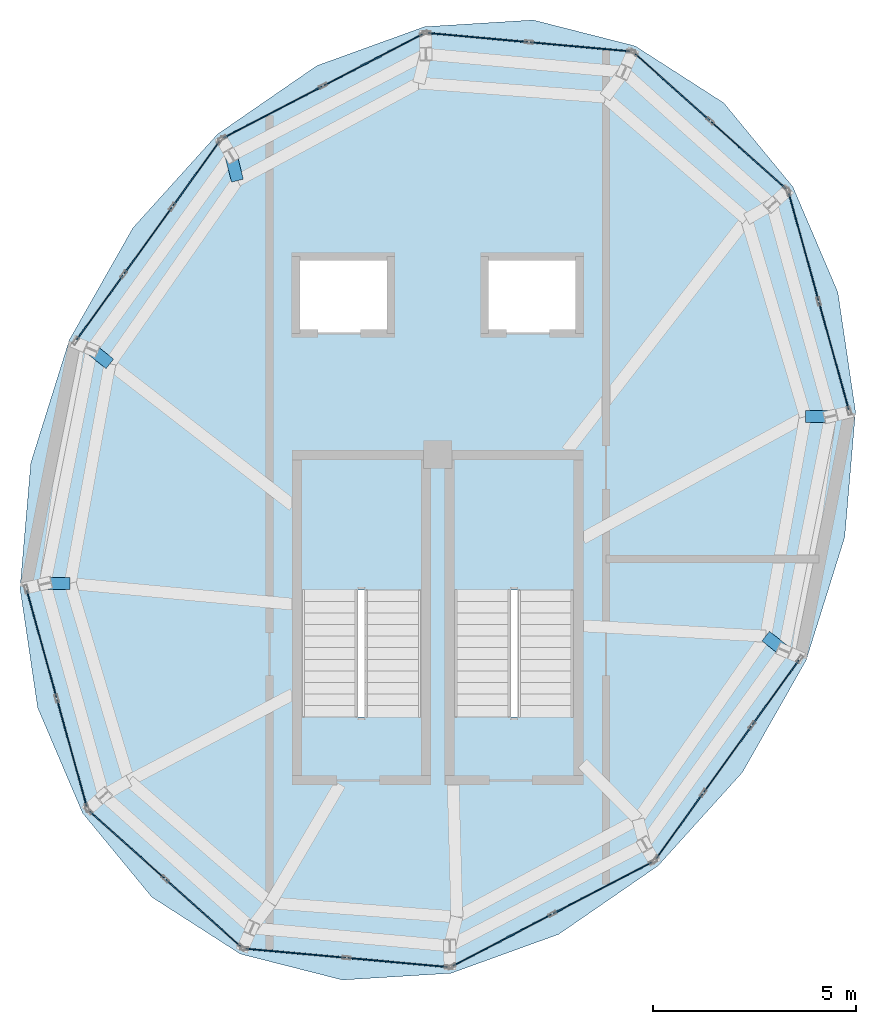
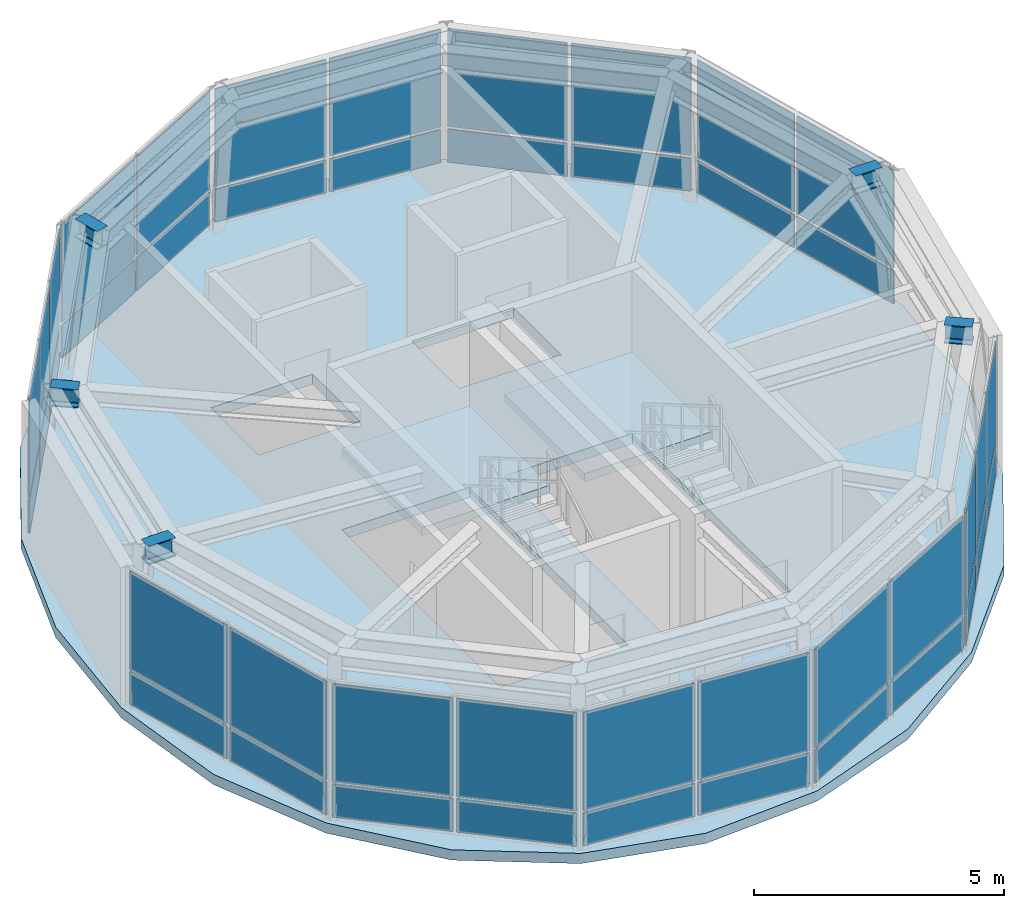
# One storey, part 7 of 9: 44 plates, 5 beams, 3 slabs, 12 elements without a shape of their own.
"""IFC4 building model written with IfcOpenShell, lengths in metres."""

from ifc_helpers import new_model, si_unit, direction, frame, origin, origin_2d, place, context, subcontext, project, spatial, polyline, rectangle, i_section, outline, extrude, material, layer, layer_set, material_profile, profile_set, type_object, element, aggregate, save


model = new_model("IFC4")

# Units and contexts
model_context = context("Model", 3, precision=1e-05, world=origin(), true_north=direction((0.0, 1.0)))
body_context = subcontext(model_context, "Body", "Model", "MODEL_VIEW")
ifc_project = project(units=[si_unit("LENGTHUNIT", "METRE"), si_unit("AREAUNIT", "SQUARE_METRE"), si_unit("VOLUMEUNIT", "CUBIC_METRE"), si_unit("PLANEANGLEUNIT", "RADIAN"), si_unit("MASSUNIT", "GRAM", prefix="KILO"), si_unit("THERMODYNAMICTEMPERATUREUNIT", "KELVIN"), si_unit("POWERUNIT", "WATT")], contexts=[model_context])

# Site, building, storey
site_placement = place(None, origin())
site = spatial("IfcSite", under=ifc_project, at=site_placement, CompositionType="ELEMENT")
building_placement = place(site_placement, origin())
building = spatial("IfcBuilding", under=site, at=building_placement, Name="Ocrelia Relay Tower", CompositionType="ELEMENT")
storey_placement = place(building_placement, frame((0.0, 0.0, 304.0)))
storey = spatial("IfcBuildingStorey", under=building, at=storey_placement, Name="L76", CompositionType="ELEMENT", Elevation=304.0)

# Beams
ifc_material_1 = material(Name="Steel S355", Category="steel")
ifc_material_profile = material_profile(ifc_material_1, i_section(OverallWidth=0.300048828125, OverallDepth=0.449951171875, WebThickness=0.013916015625, FlangeThickness=0.02587890625, FilletRadius=0.027099609375, at=origin_2d()), Name="HEB 450")
ifc_profile_set = profile_set([ifc_material_profile], Name="Steel S355")
beam_type = type_object("IfcBeamType", Name="BM-HEB450", PredefinedType="BEAM", material=ifc_profile_set)
beam_1_placement = place(storey_placement, frame((28.90673828125, 34.484619140625, 3.52490234375), z_axis=(0.246429428878, -0.969160738259, 0.0), x_axis=(0.969160738259, 0.246429428878, 0.0)))
element("IfcBeam", 1, at=beam_1_placement, inside=storey, type_object=beam_type, Name="L76 Crown Step Radial Beam ST03", PredefinedType="BEAM", context=body_context, shape_type="SweptSolid", body=[
    extrude(i_section(OverallWidth=0.300048828125, OverallDepth=0.449951171875, WebThickness=0.013916015625, FlangeThickness=0.02587890625, FilletRadius=0.027099609375, at=origin_2d()), origin(), (0.0, 0.0, 1.0), 0.634033203125),
])
beam_2_placement = place(storey_placement, frame((25.47119140625, 29.70849609375, 3.52490234375), z_axis=(0.785277172526, -0.619144379211, 0.0), x_axis=(0.619144379211, 0.785277172526, 0.0)))
element("IfcBeam", 2, at=beam_2_placement, inside=storey, type_object=beam_type, Name="L76 Crown Step Radial Beam ST04", PredefinedType="BEAM", context=body_context, shape_type="SweptSolid", body=[
    extrude(i_section(OverallWidth=0.300048828125, OverallDepth=0.449951171875, WebThickness=0.013916015625, FlangeThickness=0.02587890625, FilletRadius=0.027099609375, at=origin_2d()), origin(), (0.0, 0.0, 1.0), 0.570068359375),
])
beam_3_placement = place(storey_placement, frame((24.3212890625, 23.9384765625, 3.52490234375), z_axis=(0.999984762362, 0.005520420612, 0.0), x_axis=(-0.005520420612, 0.999984762362, 0.0)))
element("IfcBeam", 3, at=beam_3_placement, inside=storey, type_object=beam_type, Name="L76 Crown Step Radial Beam ST05", PredefinedType="BEAM", context=body_context, shape_type="SweptSolid", body=[
    extrude(i_section(OverallWidth=0.300048828125, OverallDepth=0.449951171875, WebThickness=0.013916015625, FlangeThickness=0.02587890625, FilletRadius=0.027099609375, at=origin_2d()), origin(), (0.0, 0.0, 1.0), 0.619140625),
])
beam_4_placement = place(storey_placement, frame((42.52880859375, 22.29150390625, 3.52490234375), z_axis=(-0.785277172526, 0.619144379211, 0.0), x_axis=(-0.619144379211, -0.785277172526, 0.0)))
element("IfcBeam", 4, at=beam_4_placement, inside=storey, type_object=beam_type, Name="L76 Crown Step Radial Beam ST10", PredefinedType="BEAM", context=body_context, shape_type="SweptSolid", body=[
    extrude(i_section(OverallWidth=0.300048828125, OverallDepth=0.449951171875, WebThickness=0.013916015625, FlangeThickness=0.02587890625, FilletRadius=0.027099609375, at=origin_2d()), origin(), (0.0, 0.0, 1.0), 0.570068359375),
])
beam_5_placement = place(storey_placement, frame((43.6787109375, 28.0615234375, 3.52490234375), z_axis=(-0.999984762362, -0.005520420612, 0.0), x_axis=(0.005520420612, -0.999984762362, 0.0)))
element("IfcBeam", 5, at=beam_5_placement, inside=storey, type_object=beam_type, Name="L76 Crown Step Radial Beam ST11", PredefinedType="BEAM", context=body_context, shape_type="SweptSolid", body=[
    extrude(i_section(OverallWidth=0.300048828125, OverallDepth=0.449951171875, WebThickness=0.013916015625, FlangeThickness=0.02587890625, FilletRadius=0.027099609375, at=origin_2d()), origin(), (0.0, 0.0, 1.0), 0.619140625),
])

# Curtain wall, plates
ifc_material_2 = material(Name="Aluminium and solar-control low-E glass", Category="aluminium")
ifc_layer_1 = layer(ifc_material_2, 0.179931640625, Name="Aluminium and solar-control low-E glass")
ifc_layer_set_1 = layer_set([ifc_layer_1], Name="Aluminium and solar-control low-E glass")
curtain_wall_type = type_object("IfcCurtainWallType", Name="CW-SYS-CROWN-PT", PredefinedType="NOTDEFINED", material=ifc_layer_set_1)
curtain_wall_1_placement = place(storey_placement, origin())
curtain_wall_1 = element("IfcCurtainWall", 6, at=curtain_wall_1_placement, inside=storey, type_object=curtain_wall_type, Name="L76 Faceted Glass-Point Crown Curtain Wall 01", PredefinedType="NOTDEFINED")
ifc_material_3 = material(Name="Clear double-glazed low-E glass", Category="glass")
ifc_layer_2 = layer(ifc_material_3, 0.031982421875, Name="Clear double-glazed low-E glass")
ifc_layer_set_2 = layer_set([ifc_layer_2], Name="Clear double-glazed low-E glass")
plate_type = type_object("IfcPlateType", Name="CW-SYS-CROWN-PT-PNL", PredefinedType="CURTAIN_PANEL", material=ifc_layer_set_2)
plate_1_placement = place(storey_placement, frame((37.507568359375, 37.168212890625, 0.06494140625), z_axis=(0.0, 0.0, 1.0), x_axis=(-0.995920296062, 0.090237264433, 0.0)))
plate_1 = element("IfcPlate", 7, at=plate_1_placement, type_object=plate_type, Name="CW-CR panel 1.1", PredefinedType="CURTAIN_PANEL", context=body_context, shape_type="SweptSolid", body=[
    extrude(rectangle(XDim=2.455078125, YDim=0.031982421875, at=origin_2d()), origin(), (0.0, 0.0, 1.0), 0.802490234375),
])
plate_2_placement = place(storey_placement, frame((37.507568359375, 37.168212890625, 0.932373046875), z_axis=(0.0, 0.0, 1.0), x_axis=(-0.995920296062, 0.090237264433, 0.0)))
plate_2 = element("IfcPlate", 8, at=plate_2_placement, type_object=plate_type, Name="CW-CR panel 1.2", PredefinedType="CURTAIN_PANEL", context=body_context, shape_type="SweptSolid", body=[
    extrude(rectangle(XDim=2.455078125, YDim=0.031982421875, at=origin_2d()), origin(), (0.0, 0.0, 1.0), 2.392578125),
])
plate_3_placement = place(storey_placement, frame((34.98779296875, 37.396484375, 0.06494140625), z_axis=(0.0, 0.0, 1.0), x_axis=(-0.995920296062, 0.090237264433, 0.0)))
plate_3 = element("IfcPlate", 9, at=plate_3_placement, type_object=plate_type, Name="CW-CR panel 2.1", PredefinedType="CURTAIN_PANEL", context=body_context, shape_type="SweptSolid", body=[
    extrude(rectangle(XDim=2.455078125, YDim=0.031982421875, at=origin_2d()), origin(), (0.0, 0.0, 1.0), 0.802490234375),
])
plate_4_placement = place(storey_placement, frame((34.98779296875, 37.396484375, 0.932373046875), z_axis=(0.0, 0.0, 1.0), x_axis=(-0.995920296062, 0.090237264433, 0.0)))
plate_4 = element("IfcPlate", 10, at=plate_4_placement, type_object=plate_type, Name="CW-CR panel 2.2", PredefinedType="CURTAIN_PANEL", context=body_context, shape_type="SweptSolid", body=[
    extrude(rectangle(XDim=2.455078125, YDim=0.031982421875, at=origin_2d()), origin(), (0.0, 0.0, 1.0), 2.392578125),
])
aggregate(curtain_wall_1, [plate_1, plate_2, plate_3, plate_4])

curtain_wall_2_placement = place(storey_placement, origin())
curtain_wall_2 = element("IfcCurtainWall", 11, at=curtain_wall_2_placement, inside=storey, type_object=curtain_wall_type, Name="L76 Faceted Glass-Point Crown Curtain Wall 02", PredefinedType="NOTDEFINED")
plate_5_placement = place(storey_placement, frame((32.416015625, 36.849853515625, 0.06494140625), z_axis=(0.0, 0.0, 1.0), x_axis=(-0.886825459101, -0.462104539137, 0.0)))
plate_5 = element("IfcPlate", 12, at=plate_5_placement, type_object=plate_type, Name="CW-CR panel 1.1", PredefinedType="CURTAIN_PANEL", context=body_context, shape_type="SweptSolid", body=[
    extrude(rectangle(XDim=2.724365234375, YDim=0.031982421875, at=origin_2d()), origin(), (0.0, 0.0, 1.0), 0.802490234375),
])
plate_6_placement = place(storey_placement, frame((32.416015625, 36.849853515625, 0.932373046875), z_axis=(0.0, 0.0, 1.0), x_axis=(-0.886825459101, -0.462104539137, 0.0)))
plate_6 = element("IfcPlate", 13, at=plate_6_placement, type_object=plate_type, Name="CW-CR panel 1.2", PredefinedType="CURTAIN_PANEL", context=body_context, shape_type="SweptSolid", body=[
    extrude(rectangle(XDim=2.724365234375, YDim=0.031982421875, at=origin_2d()), origin(), (0.0, 0.0, 1.0), 2.392578125),
])
plate_7_placement = place(storey_placement, frame((29.93359375, 35.556396484375, 0.06494140625), z_axis=(0.0, 0.0, 1.0), x_axis=(-0.886825459101, -0.462104539137, 0.0)))
plate_7 = element("IfcPlate", 14, at=plate_7_placement, type_object=plate_type, Name="CW-CR panel 2.1", PredefinedType="CURTAIN_PANEL", context=body_context, shape_type="SweptSolid", body=[
    extrude(rectangle(XDim=2.724365234375, YDim=0.031982421875, at=origin_2d()), origin(), (0.0, 0.0, 1.0), 0.802490234375),
])
plate_8_placement = place(storey_placement, frame((29.93359375, 35.556396484375, 0.932373046875), z_axis=(0.0, 0.0, 1.0), x_axis=(-0.886825459101, -0.462104539137, 0.0)))
plate_8 = element("IfcPlate", 15, at=plate_8_placement, type_object=plate_type, Name="CW-CR panel 2.2", PredefinedType="CURTAIN_PANEL", context=body_context, shape_type="SweptSolid", body=[
    extrude(rectangle(XDim=2.724365234375, YDim=0.031982421875, at=origin_2d()), origin(), (0.0, 0.0, 1.0), 2.392578125),
])
aggregate(curtain_wall_2, [plate_5, plate_6, plate_7, plate_8])

curtain_wall_3_placement = place(storey_placement, origin())
curtain_wall_3 = element("IfcCurtainWall", 16, at=curtain_wall_3_placement, inside=storey, type_object=curtain_wall_type, Name="L76 Faceted Glass-Point Crown Curtain Wall 03", PredefinedType="NOTDEFINED")
plate_9_placement = place(storey_placement, frame((28.048095703125, 34.04296875, 0.06494140625), z_axis=(0.0, 0.0, 1.0), x_axis=(-0.583998300371, -0.811754879976, 0.0)))
plate_9 = element("IfcPlate", 17, at=plate_9_placement, type_object=plate_type, Name="CW-CR panel 1.1", PredefinedType="CURTAIN_PANEL", context=body_context, shape_type="SweptSolid", body=[
    extrude(rectangle(XDim=1.9423828125, YDim=0.031982421875, at=origin_2d()), origin(), (0.0, 0.0, 1.0), 0.802490234375),
])
plate_10_placement = place(storey_placement, frame((28.048095703125, 34.04296875, 0.932373046875), z_axis=(0.0, 0.0, 1.0), x_axis=(-0.583998300371, -0.811754879976, 0.0)))
plate_10 = element("IfcPlate", 18, at=plate_10_placement, type_object=plate_type, Name="CW-CR panel 1.2", PredefinedType="CURTAIN_PANEL", context=body_context, shape_type="SweptSolid", body=[
    extrude(rectangle(XDim=1.9423828125, YDim=0.031982421875, at=origin_2d()), origin(), (0.0, 0.0, 1.0), 2.392578125),
])
plate_11_placement = place(storey_placement, frame((26.85888671875, 32.389892578125, 0.06494140625), z_axis=(0.0, 0.0, 1.0), x_axis=(-0.583998300371, -0.811754879976, 0.0)))
plate_11 = element("IfcPlate", 19, at=plate_11_placement, type_object=plate_type, Name="CW-CR panel 2.1", PredefinedType="CURTAIN_PANEL", context=body_context, shape_type="SweptSolid", body=[
    extrude(rectangle(XDim=1.97998046875, YDim=0.031982421875, at=origin_2d()), origin(), (0.0, 0.0, 1.0), 0.802490234375),
])
plate_12_placement = place(storey_placement, frame((26.85888671875, 32.389892578125, 0.932373046875), z_axis=(0.0, 0.0, 1.0), x_axis=(-0.583998300371, -0.811754879976, 0.0)))
plate_12 = element("IfcPlate", 20, at=plate_12_placement, type_object=plate_type, Name="CW-CR panel 2.2", PredefinedType="CURTAIN_PANEL", context=body_context, shape_type="SweptSolid", body=[
    extrude(rectangle(XDim=1.97998046875, YDim=0.031982421875, at=origin_2d()), origin(), (0.0, 0.0, 1.0), 2.392578125),
])
plate_13_placement = place(storey_placement, frame((25.669677734375, 30.737060546875, 0.06494140625), z_axis=(0.0, 0.0, 1.0), x_axis=(-0.583998300371, -0.811754879976, 0.0)))
plate_13 = element("IfcPlate", 21, at=plate_13_placement, type_object=plate_type, Name="CW-CR panel 3.1", PredefinedType="CURTAIN_PANEL", context=body_context, shape_type="SweptSolid", body=[
    extrude(rectangle(XDim=1.9423828125, YDim=0.031982421875, at=origin_2d()), origin(), (0.0, 0.0, 1.0), 0.802490234375),
])
plate_14_placement = place(storey_placement, frame((25.669677734375, 30.737060546875, 0.932373046875), z_axis=(0.0, 0.0, 1.0), x_axis=(-0.583998300371, -0.811754879976, 0.0)))
plate_14 = element("IfcPlate", 22, at=plate_14_placement, type_object=plate_type, Name="CW-CR panel 3.2", PredefinedType="CURTAIN_PANEL", context=body_context, shape_type="SweptSolid", body=[
    extrude(rectangle(XDim=1.9423828125, YDim=0.031982421875, at=origin_2d()), origin(), (0.0, 0.0, 1.0), 2.392578125),
])
aggregate(curtain_wall_3, [plate_9, plate_10, plate_11, plate_12, plate_13, plate_14])

curtain_wall_4_placement = place(storey_placement, origin())
curtain_wall_4 = element("IfcCurtainWall", 23, at=curtain_wall_4_placement, inside=storey, type_object=curtain_wall_type, Name="L76 Faceted Glass-Point Crown Curtain Wall 05", PredefinedType="NOTDEFINED")
plate_15_placement = place(storey_placement, frame((24.237548828125, 22.45654296875, 0.06494140625), z_axis=(0.0, 0.0, 1.0), x_axis=(0.266852890397, -0.963737274825, 0.0)))
plate_15 = element("IfcPlate", 24, at=plate_15_placement, type_object=plate_type, Name="CW-CR panel 1.1", PredefinedType="CURTAIN_PANEL", context=body_context, shape_type="SweptSolid", body=[
    extrude(rectangle(XDim=2.724365234375, YDim=0.031982421875, at=origin_2d()), origin(), (0.0, 0.0, 1.0), 0.802490234375),
])
plate_16_placement = place(storey_placement, frame((24.237548828125, 22.45654296875, 0.932373046875), z_axis=(0.0, 0.0, 1.0), x_axis=(0.266852890397, -0.963737274825, 0.0)))
plate_16 = element("IfcPlate", 25, at=plate_16_placement, type_object=plate_type, Name="CW-CR panel 1.2", PredefinedType="CURTAIN_PANEL", context=body_context, shape_type="SweptSolid", body=[
    extrude(rectangle(XDim=2.724365234375, YDim=0.031982421875, at=origin_2d()), origin(), (0.0, 0.0, 1.0), 2.392578125),
])
plate_17_placement = place(storey_placement, frame((24.984619140625, 19.7587890625, 0.06494140625), z_axis=(0.0, 0.0, 1.0), x_axis=(0.266852890397, -0.963737274825, 0.0)))
plate_17 = element("IfcPlate", 26, at=plate_17_placement, type_object=plate_type, Name="CW-CR panel 2.1", PredefinedType="CURTAIN_PANEL", context=body_context, shape_type="SweptSolid", body=[
    extrude(rectangle(XDim=2.724365234375, YDim=0.031982421875, at=origin_2d()), origin(), (0.0, 0.0, 1.0), 0.802490234375),
])
plate_18_placement = place(storey_placement, frame((24.984619140625, 19.7587890625, 0.932373046875), z_axis=(0.0, 0.0, 1.0), x_axis=(0.266852890397, -0.963737274825, 0.0)))
plate_18 = element("IfcPlate", 27, at=plate_18_placement, type_object=plate_type, Name="CW-CR panel 2.2", PredefinedType="CURTAIN_PANEL", context=body_context, shape_type="SweptSolid", body=[
    extrude(rectangle(XDim=2.724365234375, YDim=0.031982421875, at=origin_2d()), origin(), (0.0, 0.0, 1.0), 2.392578125),
])
aggregate(curtain_wall_4, [plate_15, plate_16, plate_17, plate_18])

curtain_wall_5_placement = place(storey_placement, origin())
curtain_wall_5 = element("IfcCurtainWall", 28, at=curtain_wall_5_placement, inside=storey, type_object=curtain_wall_type, Name="L76 Faceted Glass-Point Crown Curtain Wall 06", PredefinedType="NOTDEFINED")
plate_19_placement = place(storey_placement, frame((26.3388671875, 17.505126953125, 0.06494140625), z_axis=(0.0, 0.0, 1.0), x_axis=(0.745217885988, -0.666821042262, 0.0)))
plate_19 = element("IfcPlate", 29, at=plate_19_placement, type_object=plate_type, Name="CW-CR panel 1.1", PredefinedType="CURTAIN_PANEL", context=body_context, shape_type="SweptSolid", body=[
    extrude(rectangle(XDim=2.455322265625, YDim=0.031982421875, at=origin_2d()), origin(), (0.0, 0.0, 1.0), 0.802490234375),
])
plate_20_placement = place(storey_placement, frame((26.3388671875, 17.505126953125, 0.932373046875), z_axis=(0.0, 0.0, 1.0), x_axis=(0.745217885988, -0.666821042262, 0.0)))
plate_20 = element("IfcPlate", 30, at=plate_20_placement, type_object=plate_type, Name="CW-CR panel 1.2", PredefinedType="CURTAIN_PANEL", context=body_context, shape_type="SweptSolid", body=[
    extrude(rectangle(XDim=2.455322265625, YDim=0.031982421875, at=origin_2d()), origin(), (0.0, 0.0, 1.0), 2.392578125),
])
plate_21_placement = place(storey_placement, frame((28.224365234375, 15.818115234375, 0.06494140625), z_axis=(0.0, 0.0, 1.0), x_axis=(0.745217885988, -0.666821042262, 0.0)))
plate_21 = element("IfcPlate", 31, at=plate_21_placement, type_object=plate_type, Name="CW-CR panel 2.1", PredefinedType="CURTAIN_PANEL", context=body_context, shape_type="SweptSolid", body=[
    extrude(rectangle(XDim=2.455322265625, YDim=0.031982421875, at=origin_2d()), origin(), (0.0, 0.0, 1.0), 0.802490234375),
])
plate_22_placement = place(storey_placement, frame((28.224365234375, 15.818115234375, 0.932373046875), z_axis=(0.0, 0.0, 1.0), x_axis=(0.745217885988, -0.666821042262, 0.0)))
plate_22 = element("IfcPlate", 32, at=plate_22_placement, type_object=plate_type, Name="CW-CR panel 2.2", PredefinedType="CURTAIN_PANEL", context=body_context, shape_type="SweptSolid", body=[
    extrude(rectangle(XDim=2.455322265625, YDim=0.031982421875, at=origin_2d()), origin(), (0.0, 0.0, 1.0), 2.392578125),
])
aggregate(curtain_wall_5, [plate_19, plate_20, plate_21, plate_22])

curtain_wall_6_placement = place(storey_placement, origin())
curtain_wall_6 = element("IfcCurtainWall", 33, at=curtain_wall_6_placement, inside=storey, type_object=curtain_wall_type, Name="L76 Faceted Glass-Point Crown Curtain Wall 07", PredefinedType="NOTDEFINED")
plate_23_placement = place(storey_placement, frame((30.492431640625, 14.831787109375, 0.06494140625), z_axis=(0.0, 0.0, 1.0), x_axis=(0.995920296062, -0.090237264433, 0.0)))
plate_23 = element("IfcPlate", 34, at=plate_23_placement, type_object=plate_type, Name="CW-CR panel 1.1", PredefinedType="CURTAIN_PANEL", context=body_context, shape_type="SweptSolid", body=[
    extrude(rectangle(XDim=2.455078125, YDim=0.031982421875, at=origin_2d()), origin(), (0.0, 0.0, 1.0), 0.802490234375),
])
plate_24_placement = place(storey_placement, frame((30.492431640625, 14.831787109375, 0.932373046875), z_axis=(0.0, 0.0, 1.0), x_axis=(0.995920296062, -0.090237264433, 0.0)))
plate_24 = element("IfcPlate", 35, at=plate_24_placement, type_object=plate_type, Name="CW-CR panel 1.2", PredefinedType="CURTAIN_PANEL", context=body_context, shape_type="SweptSolid", body=[
    extrude(rectangle(XDim=2.455078125, YDim=0.031982421875, at=origin_2d()), origin(), (0.0, 0.0, 1.0), 2.392578125),
])
plate_25_placement = place(storey_placement, frame((33.01220703125, 14.603515625, 0.06494140625), z_axis=(0.0, 0.0, 1.0), x_axis=(0.995920296062, -0.090237264433, 0.0)))
plate_25 = element("IfcPlate", 36, at=plate_25_placement, type_object=plate_type, Name="CW-CR panel 2.1", PredefinedType="CURTAIN_PANEL", context=body_context, shape_type="SweptSolid", body=[
    extrude(rectangle(XDim=2.455078125, YDim=0.031982421875, at=origin_2d()), origin(), (0.0, 0.0, 1.0), 0.802490234375),
])
plate_26_placement = place(storey_placement, frame((33.01220703125, 14.603515625, 0.932373046875), z_axis=(0.0, 0.0, 1.0), x_axis=(0.995920296062, -0.090237264433, 0.0)))
plate_26 = element("IfcPlate", 37, at=plate_26_placement, type_object=plate_type, Name="CW-CR panel 2.2", PredefinedType="CURTAIN_PANEL", context=body_context, shape_type="SweptSolid", body=[
    extrude(rectangle(XDim=2.455078125, YDim=0.031982421875, at=origin_2d()), origin(), (0.0, 0.0, 1.0), 2.392578125),
])
aggregate(curtain_wall_6, [plate_23, plate_24, plate_25, plate_26])

curtain_wall_7_placement = place(storey_placement, origin())
curtain_wall_7 = element("IfcCurtainWall", 38, at=curtain_wall_7_placement, inside=storey, type_object=curtain_wall_type, Name="L76 Faceted Glass-Point Crown Curtain Wall 08", PredefinedType="NOTDEFINED")
plate_27_placement = place(storey_placement, frame((35.583984375, 15.150146484375, 0.06494140625), z_axis=(0.0, 0.0, 1.0), x_axis=(0.886825459101, 0.462104539137, 0.0)))
plate_27 = element("IfcPlate", 39, at=plate_27_placement, type_object=plate_type, Name="CW-CR panel 1.1", PredefinedType="CURTAIN_PANEL", context=body_context, shape_type="SweptSolid", body=[
    extrude(rectangle(XDim=2.724365234375, YDim=0.031982421875, at=origin_2d()), origin(), (0.0, 0.0, 1.0), 0.802490234375),
])
plate_28_placement = place(storey_placement, frame((35.583984375, 15.150146484375, 0.932373046875), z_axis=(0.0, 0.0, 1.0), x_axis=(0.886825459101, 0.462104539137, 0.0)))
plate_28 = element("IfcPlate", 40, at=plate_28_placement, type_object=plate_type, Name="CW-CR panel 1.2", PredefinedType="CURTAIN_PANEL", context=body_context, shape_type="SweptSolid", body=[
    extrude(rectangle(XDim=2.724365234375, YDim=0.031982421875, at=origin_2d()), origin(), (0.0, 0.0, 1.0), 2.392578125),
])
plate_29_placement = place(storey_placement, frame((38.06640625, 16.443603515625, 0.06494140625), z_axis=(0.0, 0.0, 1.0), x_axis=(0.886825459101, 0.462104539137, 0.0)))
plate_29 = element("IfcPlate", 41, at=plate_29_placement, type_object=plate_type, Name="CW-CR panel 2.1", PredefinedType="CURTAIN_PANEL", context=body_context, shape_type="SweptSolid", body=[
    extrude(rectangle(XDim=2.724365234375, YDim=0.031982421875, at=origin_2d()), origin(), (0.0, 0.0, 1.0), 0.802490234375),
])
plate_30_placement = place(storey_placement, frame((38.06640625, 16.443603515625, 0.932373046875), z_axis=(0.0, 0.0, 1.0), x_axis=(0.886825459101, 0.462104539137, 0.0)))
plate_30 = element("IfcPlate", 42, at=plate_30_placement, type_object=plate_type, Name="CW-CR panel 2.2", PredefinedType="CURTAIN_PANEL", context=body_context, shape_type="SweptSolid", body=[
    extrude(rectangle(XDim=2.724365234375, YDim=0.031982421875, at=origin_2d()), origin(), (0.0, 0.0, 1.0), 2.392578125),
])
aggregate(curtain_wall_7, [plate_27, plate_28, plate_29, plate_30])

curtain_wall_8_placement = place(storey_placement, origin())
curtain_wall_8 = element("IfcCurtainWall", 43, at=curtain_wall_8_placement, inside=storey, type_object=curtain_wall_type, Name="L76 Faceted Glass-Point Crown Curtain Wall 09", PredefinedType="NOTDEFINED")
plate_31_placement = place(storey_placement, frame((39.951904296875, 17.95703125, 0.06494140625), z_axis=(0.0, 0.0, 1.0), x_axis=(0.583998300371, 0.811754879976, 0.0)))
plate_31 = element("IfcPlate", 44, at=plate_31_placement, type_object=plate_type, Name="CW-CR panel 1.1", PredefinedType="CURTAIN_PANEL", context=body_context, shape_type="SweptSolid", body=[
    extrude(rectangle(XDim=1.9423828125, YDim=0.031982421875, at=origin_2d()), origin(), (0.0, 0.0, 1.0), 0.802490234375),
])
plate_32_placement = place(storey_placement, frame((39.951904296875, 17.95703125, 0.932373046875), z_axis=(0.0, 0.0, 1.0), x_axis=(0.583998300371, 0.811754879976, 0.0)))
plate_32 = element("IfcPlate", 45, at=plate_32_placement, type_object=plate_type, Name="CW-CR panel 1.2", PredefinedType="CURTAIN_PANEL", context=body_context, shape_type="SweptSolid", body=[
    extrude(rectangle(XDim=1.9423828125, YDim=0.031982421875, at=origin_2d()), origin(), (0.0, 0.0, 1.0), 2.392578125),
])
plate_33_placement = place(storey_placement, frame((41.14111328125, 19.610107421875, 0.06494140625), z_axis=(0.0, 0.0, 1.0), x_axis=(0.583998300371, 0.811754879976, 0.0)))
plate_33 = element("IfcPlate", 46, at=plate_33_placement, type_object=plate_type, Name="CW-CR panel 2.1", PredefinedType="CURTAIN_PANEL", context=body_context, shape_type="SweptSolid", body=[
    extrude(rectangle(XDim=1.97998046875, YDim=0.031982421875, at=origin_2d()), origin(), (0.0, 0.0, 1.0), 0.802490234375),
])
plate_34_placement = place(storey_placement, frame((41.14111328125, 19.610107421875, 0.932373046875), z_axis=(0.0, 0.0, 1.0), x_axis=(0.583998300371, 0.811754879976, 0.0)))
plate_34 = element("IfcPlate", 47, at=plate_34_placement, type_object=plate_type, Name="CW-CR panel 2.2", PredefinedType="CURTAIN_PANEL", context=body_context, shape_type="SweptSolid", body=[
    extrude(rectangle(XDim=1.97998046875, YDim=0.031982421875, at=origin_2d()), origin(), (0.0, 0.0, 1.0), 2.392578125),
])
plate_35_placement = place(storey_placement, frame((42.330322265625, 21.262939453125, 0.06494140625), z_axis=(0.0, 0.0, 1.0), x_axis=(0.583998300371, 0.811754879976, 0.0)))
plate_35 = element("IfcPlate", 48, at=plate_35_placement, type_object=plate_type, Name="CW-CR panel 3.1", PredefinedType="CURTAIN_PANEL", context=body_context, shape_type="SweptSolid", body=[
    extrude(rectangle(XDim=1.9423828125, YDim=0.031982421875, at=origin_2d()), origin(), (0.0, 0.0, 1.0), 0.802490234375),
])
plate_36_placement = place(storey_placement, frame((42.330322265625, 21.262939453125, 0.932373046875), z_axis=(0.0, 0.0, 1.0), x_axis=(0.583998300371, 0.811754879976, 0.0)))
plate_36 = element("IfcPlate", 49, at=plate_36_placement, type_object=plate_type, Name="CW-CR panel 3.2", PredefinedType="CURTAIN_PANEL", context=body_context, shape_type="SweptSolid", body=[
    extrude(rectangle(XDim=1.9423828125, YDim=0.031982421875, at=origin_2d()), origin(), (0.0, 0.0, 1.0), 2.392578125),
])
aggregate(curtain_wall_8, [plate_31, plate_32, plate_33, plate_34, plate_35, plate_36])

curtain_wall_9_placement = place(storey_placement, origin())
curtain_wall_9 = element("IfcCurtainWall", 50, at=curtain_wall_9_placement, inside=storey, type_object=curtain_wall_type, Name="L76 Faceted Glass-Point Crown Curtain Wall 11", PredefinedType="NOTDEFINED")
plate_37_placement = place(storey_placement, frame((43.762451171875, 29.54345703125, 0.06494140625), z_axis=(0.0, 0.0, 1.0), x_axis=(-0.266852890397, 0.963737274825, 0.0)))
plate_37 = element("IfcPlate", 51, at=plate_37_placement, type_object=plate_type, Name="CW-CR panel 1.1", PredefinedType="CURTAIN_PANEL", context=body_context, shape_type="SweptSolid", body=[
    extrude(rectangle(XDim=2.724365234375, YDim=0.031982421875, at=origin_2d()), origin(), (0.0, 0.0, 1.0), 0.802490234375),
])
plate_38_placement = place(storey_placement, frame((43.762451171875, 29.54345703125, 0.932373046875), z_axis=(0.0, 0.0, 1.0), x_axis=(-0.266852890397, 0.963737274825, 0.0)))
plate_38 = element("IfcPlate", 52, at=plate_38_placement, type_object=plate_type, Name="CW-CR panel 1.2", PredefinedType="CURTAIN_PANEL", context=body_context, shape_type="SweptSolid", body=[
    extrude(rectangle(XDim=2.724365234375, YDim=0.031982421875, at=origin_2d()), origin(), (0.0, 0.0, 1.0), 2.392578125),
])
plate_39_placement = place(storey_placement, frame((43.015380859375, 32.2412109375, 0.06494140625), z_axis=(0.0, 0.0, 1.0), x_axis=(-0.266852890397, 0.963737274825, 0.0)))
plate_39 = element("IfcPlate", 53, at=plate_39_placement, type_object=plate_type, Name="CW-CR panel 2.1", PredefinedType="CURTAIN_PANEL", context=body_context, shape_type="SweptSolid", body=[
    extrude(rectangle(XDim=2.724365234375, YDim=0.031982421875, at=origin_2d()), origin(), (0.0, 0.0, 1.0), 0.802490234375),
])
plate_40_placement = place(storey_placement, frame((43.015380859375, 32.2412109375, 0.932373046875), z_axis=(0.0, 0.0, 1.0), x_axis=(-0.266852890397, 0.963737274825, 0.0)))
plate_40 = element("IfcPlate", 54, at=plate_40_placement, type_object=plate_type, Name="CW-CR panel 2.2", PredefinedType="CURTAIN_PANEL", context=body_context, shape_type="SweptSolid", body=[
    extrude(rectangle(XDim=2.724365234375, YDim=0.031982421875, at=origin_2d()), origin(), (0.0, 0.0, 1.0), 2.392578125),
])
aggregate(curtain_wall_9, [plate_37, plate_38, plate_39, plate_40])

curtain_wall_10_placement = place(storey_placement, origin())
curtain_wall_10 = element("IfcCurtainWall", 55, at=curtain_wall_10_placement, inside=storey, type_object=curtain_wall_type, Name="L76 Faceted Glass-Point Crown Curtain Wall 12", PredefinedType="NOTDEFINED")
plate_41_placement = place(storey_placement, frame((41.6611328125, 34.494873046875, 0.06494140625), z_axis=(0.0, 0.0, 1.0), x_axis=(-0.745217885988, 0.666821042262, 0.0)))
plate_41 = element("IfcPlate", 56, at=plate_41_placement, type_object=plate_type, Name="CW-CR panel 1.1", PredefinedType="CURTAIN_PANEL", context=body_context, shape_type="SweptSolid", body=[
    extrude(rectangle(XDim=2.455322265625, YDim=0.031982421875, at=origin_2d()), origin(), (0.0, 0.0, 1.0), 0.802490234375),
])
plate_42_placement = place(storey_placement, frame((41.6611328125, 34.494873046875, 0.932373046875), z_axis=(0.0, 0.0, 1.0), x_axis=(-0.745217885988, 0.666821042262, 0.0)))
plate_42 = element("IfcPlate", 57, at=plate_42_placement, type_object=plate_type, Name="CW-CR panel 1.2", PredefinedType="CURTAIN_PANEL", context=body_context, shape_type="SweptSolid", body=[
    extrude(rectangle(XDim=2.455322265625, YDim=0.031982421875, at=origin_2d()), origin(), (0.0, 0.0, 1.0), 2.392578125),
])
plate_43_placement = place(storey_placement, frame((39.775634765625, 36.181884765625, 0.06494140625), z_axis=(0.0, 0.0, 1.0), x_axis=(-0.745217885988, 0.666821042262, 0.0)))
plate_43 = element("IfcPlate", 58, at=plate_43_placement, type_object=plate_type, Name="CW-CR panel 2.1", PredefinedType="CURTAIN_PANEL", context=body_context, shape_type="SweptSolid", body=[
    extrude(rectangle(XDim=2.455322265625, YDim=0.031982421875, at=origin_2d()), origin(), (0.0, 0.0, 1.0), 0.802490234375),
])
plate_44_placement = place(storey_placement, frame((39.775634765625, 36.181884765625, 0.932373046875), z_axis=(0.0, 0.0, 1.0), x_axis=(-0.745217885988, 0.666821042262, 0.0)))
plate_44 = element("IfcPlate", 59, at=plate_44_placement, type_object=plate_type, Name="CW-CR panel 2.2", PredefinedType="CURTAIN_PANEL", context=body_context, shape_type="SweptSolid", body=[
    extrude(rectangle(XDim=2.455322265625, YDim=0.031982421875, at=origin_2d()), origin(), (0.0, 0.0, 1.0), 2.392578125),
])
aggregate(curtain_wall_10, [plate_41, plate_42, plate_43, plate_44])

# Slab
ifc_material_4 = material(Name="Concrete C50/60", Category="concrete")
ifc_layer_3 = layer(ifc_material_4, 0.25, Name="Concrete C50/60")
ifc_layer_set_3 = layer_set([ifc_layer_3], Name="Concrete C50/60")
slab_type_1 = type_object("IfcSlabType", Name="SL-FLR-250", PredefinedType="FLOOR", material=ifc_layer_set_3)
slab_1_placement = place(storey_placement, frame((0.0, 0.0, -0.25)))
element("IfcSlab", 60, at=slab_1_placement, inside=storey, type_object=slab_type_1, Name="L76 Elliptical Tower Floor Slab", PredefinedType="FLOOR", context=body_context, shape_type="SweptSolid", body=[
    extrude(outline(polyline([(38.86474609375, 37.18798828125), (36.34912109375, 37.82861328125), (33.673583984375, 37.6630859375), (31.02001953125, 36.70263671875), (28.56982421875, 35.0126953125), (26.489501953125, 32.708740234375), (24.921142578125, 29.947509765625), (23.971435546875, 26.91748046875), (23.705078125, 23.82470703125), (24.140380859375, 20.880126953125), (25.24755859375, 18.28466796875), (26.951171875, 16.21484375), (29.13525390625, 14.81201171875), (31.65087890625, 14.17138671875), (34.326416015625, 14.3369140625), (36.97998046875, 15.29736328125), (39.43017578125, 16.9873046875), (41.510498046875, 19.291259765625), (43.078857421875, 22.052490234375), (44.028564453125, 25.08251953125), (44.294921875, 28.17529296875), (43.859619140625, 31.119873046875), (42.75244140625, 33.71533203125), (41.048828125, 35.78515625), (38.86474609375, 37.18798828125)]), holes=[polyline([(33.60009765625, 20.64990234375), (33.60009765625, 27.0), (30.639892578125, 27.0), (30.639892578125, 20.64990234375), (33.60009765625, 20.64990234375)]), polyline([(37.360107421875, 20.64990234375), (37.360107421875, 27.0), (34.39990234375, 27.0), (34.39990234375, 20.64990234375), (37.360107421875, 20.64990234375)]), polyline([(30.5, 30.10009765625), (32.85009765625, 30.10009765625), (32.85009765625, 32.0), (30.5, 32.0), (30.5, 30.10009765625)]), polyline([(35.14990234375, 30.10009765625), (37.5, 30.10009765625), (37.5, 32.0), (35.14990234375, 32.0), (35.14990234375, 30.10009765625)])]), origin(), (0.0, 0.0, 1.0), 0.25),
])

# Stair, slab
stair_type = type_object("IfcStairType", Name="ST-DL-1400-R167", PredefinedType="HALF_TURN_STAIR", material=ifc_material_4)
stair_1_placement = place(storey_placement, origin())
stair_1 = element("IfcStair", 61, at=stair_1_placement, inside=storey, type_object=stair_type, Name="L76 Crown North-West Stair ST4", PredefinedType="HALF_TURN_STAIR")
ifc_layer_4 = layer(ifc_material_4, 0.199951171875, Name="Concrete C50/60")
ifc_layer_set_4 = layer_set([ifc_layer_4], Name="Concrete C50/60")
slab_type_2 = type_object("IfcSlabType", Name="SL-LANDING-200", PredefinedType="LANDING", material=ifc_layer_set_4)
slab_2_placement = place(storey_placement, frame((0.0, 0.0, 1.800048828125)))
slab_2 = element("IfcSlab", 62, at=slab_2_placement, type_object=slab_type_2, Name="ST4 landing 1", PredefinedType="LANDING", context=body_context, shape_type="SweptSolid", body=[
    extrude(outline(polyline([(33.60009765625, 23.784912109375), (33.60009765625, 27.0), (30.639892578125, 27.0), (30.639892578125, 23.784912109375), (33.60009765625, 23.784912109375)])), origin(), (0.0, 0.0, 1.0), 0.199951171875),
])
aggregate(stair_1, [slab_2])

stair_2_placement = place(storey_placement, origin())
stair_2 = element("IfcStair", 63, at=stair_2_placement, inside=storey, type_object=stair_type, Name="L76 Crown North-East Stair ST5", PredefinedType="HALF_TURN_STAIR")
slab_3_placement = place(storey_placement, frame((0.0, 0.0, 1.800048828125)))
slab_3 = element("IfcSlab", 64, at=slab_3_placement, type_object=slab_type_2, Name="ST5 landing 1", PredefinedType="LANDING", context=body_context, shape_type="SweptSolid", body=[
    extrude(outline(polyline([(37.360107421875, 23.784912109375), (37.360107421875, 27.0), (34.39990234375, 27.0), (34.39990234375, 23.784912109375), (37.360107421875, 23.784912109375)])), origin(), (0.0, 0.0, 1.0), 0.199951171875),
])
aggregate(stair_2, [slab_3])

save(model, "model.ifc")
